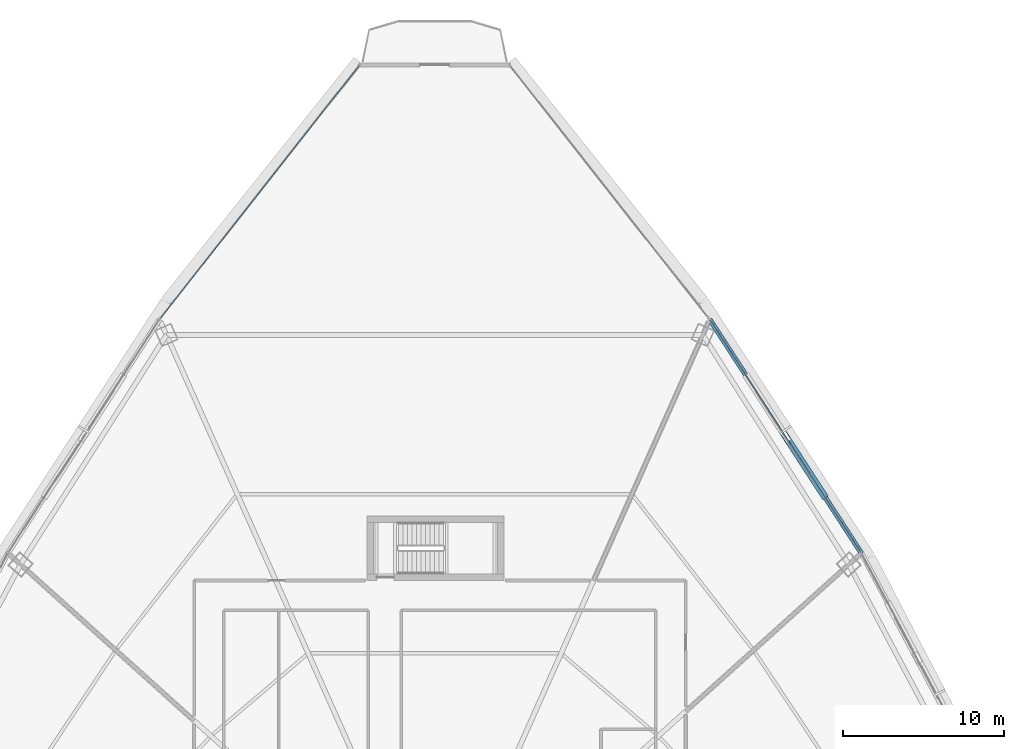
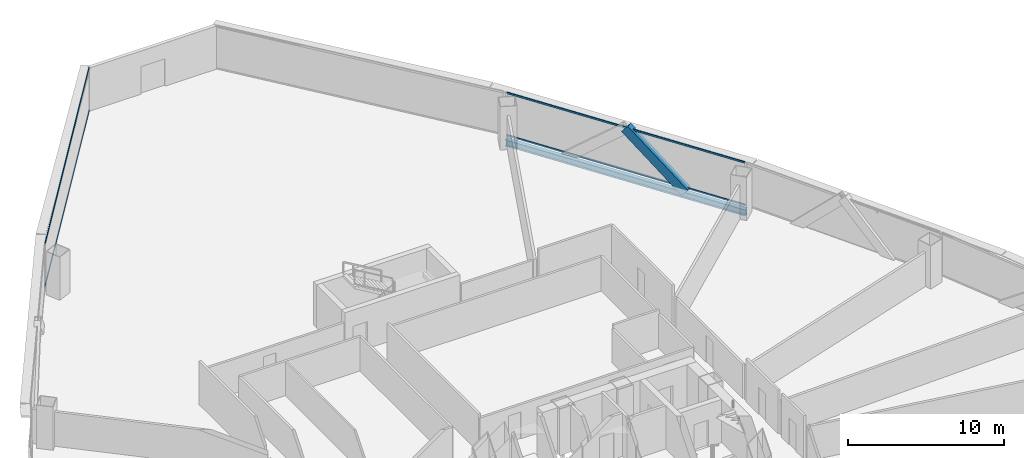
# One storey, part 25 of 40: 5 members, 1 beam, 2 elements without a shape of their own.
"""IFC4 building model written with IfcOpenShell, lengths in metres."""

import ifcopenshell
import ifcopenshell.guid

model = None  # the IFC model being written
_history = None  # IfcOwnerHistory: only IFC2X3 demands one
_inside = {}  # id of a spatial element -> (the spatial element, [elements in it])
_under = {}  # id of a project, library or spatial element -> (it, [spatial elements below it])
_declared = {}  # id of a project -> (the project, [libraries it declares])
_typed = {}  # id of a type object -> (the type object, [elements of that type])
_made_of = {}  # id of a material, layer set ... -> (it, [elements and type objects made of it])


def new_model(schema):
    """Start an empty IFC model of exactly this schema.

    Asked for "IFC4X3", IfcOpenShell would pick the latest addendum, in which some entities
    have other attributes; the version numbers below select the first issue.
    IFC2X3 requires an IfcOwnerHistory on every rooted entity: one is made here for all.
    """
    global model, _history
    if schema == "IFC4X3":
        model = ifcopenshell.file(schema_version=(4, 3, 0, 0))
    else:
        model = ifcopenshell.file(schema=schema)
    _inside.clear()
    _under.clear()
    _declared.clear()
    _typed.clear()
    _made_of.clear()
    _history = None
    if model.schema == "IFC2X3":
        org = make("IfcOrganization", Name="unknown")
        user = make(
            "IfcPersonAndOrganization",
            ThePerson=make("IfcPerson", FamilyName="unknown"),
            TheOrganization=org,
        )
        app = make(
            "IfcApplication",
            ApplicationDeveloper=org,
            Version="unknown",
            ApplicationFullName="unknown",
            ApplicationIdentifier="unknown",
        )
        _history = make(
            "IfcOwnerHistory",
            OwningUser=user,
            OwningApplication=app,
            ChangeAction="ADDED",
            CreationDate=0,
        )
    return model


def make(cls, **values):
    """One entity of the class cls with the attributes given. An attribute that is None is left unset."""
    return model.create_entity(
        cls, **{name: value for name, value in values.items() if value is not None}
    )


def rooted(cls, **values):
    """An entity with a GlobalId (a new one), such as an element, a storey or a relation."""
    return make(cls, GlobalId=ifcopenshell.guid.new(), OwnerHistory=_history, **values)


def si_unit(unit_type, name, prefix=None):
    """IfcSIUnit, for example si_unit("LENGTHUNIT", "METRE", prefix="MILLI")."""
    return make("IfcSIUnit", UnitType=unit_type, Prefix=prefix, Name=name)


def assignment(units):
    """IfcUnitAssignment: the units of a project."""
    return None if units is None else make("IfcUnitAssignment", Units=units)


def point(xyz):
    """IfcCartesianPoint."""
    return None if xyz is None else make("IfcCartesianPoint", Coordinates=xyz)


def direction(xyz):
    """IfcDirection."""
    return None if xyz is None else make("IfcDirection", DirectionRatios=xyz)


def frame(location, z_axis=None, x_axis=None):
    """IfcAxis2Placement3D, a coordinate frame: its origin and axes. An axis left out is left unset."""
    return make(
        "IfcAxis2Placement3D",
        Location=point(location),
        Axis=direction(z_axis),
        RefDirection=direction(x_axis),
    )


def frame_2d(location, x_axis=None):
    """IfcAxis2Placement2D, a coordinate frame in the plane: its origin and x axis."""
    return make(
        "IfcAxis2Placement2D", Location=point(location), RefDirection=direction(x_axis)
    )


def origin():
    """The frame at (0, 0, 0) with its axes left unset."""
    return frame((0.0, 0.0, 0.0))


def origin_2d():
    """The frame at (0, 0) in the plane with its x axis left unset."""
    return frame_2d((0.0, 0.0))


def place(relative_to, where):
    """IfcLocalPlacement: puts the frame where relative to a parent placement (None: the world)."""
    return make(
        "IfcLocalPlacement", PlacementRelTo=relative_to, RelativePlacement=where
    )


def context(
    kind, dimensions, precision=None, world=None, true_north=None, identifier=None
):
    """IfcGeometricRepresentationContext, for example the 3D "Model" context."""
    return make(
        "IfcGeometricRepresentationContext",
        ContextIdentifier=identifier,
        ContextType=kind,
        CoordinateSpaceDimension=dimensions,
        Precision=precision,
        WorldCoordinateSystem=world,
        TrueNorth=true_north,
    )


def subcontext(parent, identifier, kind, view, scale=None):
    """IfcGeometricRepresentationSubContext, for example "Body" below "Model"."""
    return make(
        "IfcGeometricRepresentationSubContext",
        ContextIdentifier=identifier,
        ContextType=kind,
        ParentContext=parent,
        TargetScale=scale,
        TargetView=view,
    )


def project(units=None, contexts=None):
    """IfcProject with its units and contexts."""
    return rooted(
        "IfcProject",
        Name="project",
        RepresentationContexts=contexts,
        UnitsInContext=assignment(units),
    )


def spatial(cls, under=None, at=None, **own):
    """A site, building, storey or space (cls), placed at a placement, below another one or the project."""
    s = rooted(cls, ObjectPlacement=at, **own)
    if under is not None:
        _under.setdefault(under.id(), (under, []))[1].append(s)
    return s


def profile(cls, at=None, kind="AREA", **sizes):
    """A parametric profile (cls). Its sizes go by their IFC names, for example OverallWidth=200.0."""
    return make(cls, ProfileType=kind, Position=at, **sizes)


def hollow_rectangle(**sizes):
    """IfcRectangleHollowProfileDef."""
    return profile("IfcRectangleHollowProfileDef", **sizes)


def i_section(**sizes):
    """IfcIShapeProfileDef."""
    return profile("IfcIShapeProfileDef", **sizes)


def extrude(swept, where, along, depth):
    """IfcExtrudedAreaSolid: the profile swept, set in the frame where, extruded along a direction by depth."""
    return make(
        "IfcExtrudedAreaSolid",
        SweptArea=swept,
        Position=where,
        ExtrudedDirection=direction(along),
        Depth=depth,
    )


def shape(context_of_items, identifier, shape_type, items):
    """IfcShapeRepresentation: the items that make up one representation, for example the "Body"."""
    return make(
        "IfcShapeRepresentation",
        ContextOfItems=context_of_items,
        RepresentationIdentifier=identifier,
        RepresentationType=shape_type,
        Items=items,
    )


def source(mapping_origin, context_of_items, identifier, shape_type, items):
    """IfcRepresentationMap: a shape defined once, which mapped items show again and again."""
    return make(
        "IfcRepresentationMap",
        MappingOrigin=mapping_origin,
        MappedRepresentation=shape(context_of_items, identifier, shape_type, items),
    )


def transform(
    local_origin,
    x_axis=None,
    y_axis=None,
    z_axis=None,
    scale=None,
    scale2=None,
    scale3=None,
    uniform=True,
):
    """IfcCartesianTransformationOperator3D, or its non-uniform kind. x_axis, y_axis, z_axis: its Axis1, 2, 3."""
    if uniform:
        return make(
            "IfcCartesianTransformationOperator3D",
            Axis1=direction(x_axis),
            Axis2=direction(y_axis),
            LocalOrigin=point(local_origin),
            Scale=scale,
            Axis3=direction(z_axis),
        )
    return make(
        "IfcCartesianTransformationOperator3DnonUniform",
        Axis1=direction(x_axis),
        Axis2=direction(y_axis),
        LocalOrigin=point(local_origin),
        Scale=scale,
        Axis3=direction(z_axis),
        Scale2=scale2,
        Scale3=scale3,
    )


def mapped(mapping_source, mapping_target):
    """IfcMappedItem: shows the shape of a source again, moved by a transform."""
    return make(
        "IfcMappedItem", MappingSource=mapping_source, MappingTarget=mapping_target
    )


def material(Name=None, Category=None):
    """IfcMaterial."""
    return make("IfcMaterial", Name=Name, Category=Category)


def layer(
    of_material, thickness, ventilated=None, Name=None, Category=None, Priority=None
):
    """IfcMaterialLayer: one layer of a wall or slab, of a material (None: an air gap)."""
    return make(
        "IfcMaterialLayer",
        Material=of_material,
        LayerThickness=thickness,
        IsVentilated=ventilated,
        Name=Name,
        Category=Category,
        Priority=Priority,
    )


def layer_set(layers, Name=None):
    """IfcMaterialLayerSet."""
    return make("IfcMaterialLayerSet", MaterialLayers=layers, LayerSetName=Name)


def material_profile(
    of_material, cross_section, Name=None, Category=None, Priority=None
):
    """IfcMaterialProfile: a cross section and its material."""
    return make(
        "IfcMaterialProfile",
        Name=Name,
        Material=of_material,
        Profile=cross_section,
        Priority=Priority,
        Category=Category,
    )


def profile_set(profiles, Name=None, composite=None):
    """IfcMaterialProfileSet."""
    return make(
        "IfcMaterialProfileSet",
        Name=Name,
        MaterialProfiles=profiles,
        CompositeProfile=composite,
    )


def made_of(thing, what):
    """Note that an element or type object is made of a material, layer set ...; save() writes the relation."""
    if what is not None:
        _made_of.setdefault(what.id(), (what, []))[1].append(thing)
    return thing


def type_object(cls, material=None, **own):
    """A type object (cls), such as IfcWallType, which elements share."""
    return made_of(rooted(cls, **own), material)


def element(
    cls,
    number,
    at=None,
    inside=None,
    cuts=None,
    type_object=None,
    material=None,
    context=None,
    identifier="Body",
    shape_type=None,
    held_by="IfcProductDefinitionShape",
    body=None,
    shapes=None,
    **own,
):
    """One element of the class cls, such as IfcWall. Its Tag is "e" and its number.

    at: its placement. inside: the storey or other place that contains it. cuts: it is an
    opening in that element (IfcRelVoidsElement). A single representation is given by context,
    identifier, shape_type and body (its items); several are given by shapes. held_by: the class
    of the entity that holds the representations. save() writes the other relations.
    """
    e = rooted(cls, Tag="e%d" % number, ObjectPlacement=at, **own)
    if body is not None:
        shapes = [shape(context, identifier, shape_type, body)]
    if shapes is not None:
        e.Representation = make(held_by, Representations=shapes)
    if inside is not None:
        _inside.setdefault(inside.id(), (inside, []))[1].append(e)
    if cuts is not None:
        rooted(
            "IfcRelVoidsElement", RelatingBuildingElement=cuts, RelatedOpeningElement=e
        )
    if type_object is not None:
        _typed.setdefault(type_object.id(), (type_object, []))[1].append(e)
    return made_of(e, material)


def aggregate(whole, parts):
    """IfcRelAggregates: a whole, such as a stair, and the parts it consists of."""
    return rooted("IfcRelAggregates", RelatingObject=whole, RelatedObjects=parts)


def save(model, path):
    """Write the relations noted so far, then the file.

    IfcRelAggregates (storeys below a building ...), IfcRelContainedInSpatialStructure (elements
    in a storey), IfcRelDefinesByType, IfcRelAssociatesMaterial and IfcRelDeclares: one each for
    every whole, place, type object, material and project.
    """
    for whole, parts in _under.values():
        aggregate(whole, parts)
    for where, things in _inside.values():
        rooted(
            "IfcRelContainedInSpatialStructure",
            RelatedElements=things,
            RelatingStructure=where,
        )
    for kind, things in _typed.values():
        rooted("IfcRelDefinesByType", RelatedObjects=things, RelatingType=kind)
    for what, things in _made_of.values():
        rooted("IfcRelAssociatesMaterial", RelatedObjects=things, RelatingMaterial=what)
    for by, libraries in _declared.values():
        rooted("IfcRelDeclares", RelatingContext=by, RelatedDefinitions=libraries)
    model.write(path)


model = new_model("IFC4")

# Units and contexts
model_context = context("Model", 3, precision=1e-05, world=origin(), true_north=direction((0.0, 1.0)))
body_context = subcontext(model_context, "Body", "Model", "MODEL_VIEW")
ifc_project = project(units=[si_unit("LENGTHUNIT", "METRE"), si_unit("AREAUNIT", "SQUARE_METRE"), si_unit("VOLUMEUNIT", "CUBIC_METRE"), si_unit("PLANEANGLEUNIT", "RADIAN"), si_unit("MASSUNIT", "GRAM", prefix="KILO"), si_unit("THERMODYNAMICTEMPERATUREUNIT", "KELVIN"), si_unit("POWERUNIT", "WATT")], contexts=[model_context])

# Site, building, storey
site_placement = place(None, origin())
site = spatial("IfcSite", under=ifc_project, at=site_placement, CompositionType="ELEMENT")
building_placement = place(site_placement, origin())
building = spatial("IfcBuilding", under=site, at=building_placement, Name="Yunzhuo Pagoda Commons", CompositionType="ELEMENT")
storey_placement = place(building_placement, frame((0.0, 0.0, 66.699951171875)))
storey = spatial("IfcBuildingStorey", under=building, at=storey_placement, Name="L17", CompositionType="ELEMENT", Elevation=66.699951171875)

# Beam
ifc_material_1 = material(Name="Structural steel Q355B", Category="steel")
ifc_material_profile_1 = material_profile(ifc_material_1, i_section(OverallWidth=0.300048828125, OverallDepth=0.488037109375, WebThickness=0.010986328125, FlangeThickness=0.01806640625, at=origin_2d()), Name="Structural steel Q355B")
ifc_profile_set_1 = profile_set([ifc_material_profile_1], Name="Structural steel Q355B")
beam_type = type_object("IfcBeamType", Name="B-SP1 Beam HM 488x300x11x18", PredefinedType="BEAM", material=ifc_profile_set_1)
shared_shape_1 = source(origin(), body_context, "Body", "SweptSolid", [
    extrude(i_section(OverallWidth=0.300048828125, OverallDepth=0.488037109375, WebThickness=0.010986328125, FlangeThickness=0.01806640625, at=origin_2d()), origin(), (0.0, 0.0, 1.0), 17.251220703125),
])
beam_placement = place(storey_placement, frame((74.428955078125, 57.496826171875, -0.50390625), z_axis=(-0.544376852456, 0.838840773037, 0.0), x_axis=(-0.838840773037, -0.544376852456, 0.0)))
element("IfcBeam", 1, at=beam_placement, inside=storey, type_object=beam_type, Name="L17 facade edge spandrel beam F2.3", PredefinedType="BEAM", context=body_context, shape_type="MappedRepresentation", body=[
    mapped(shared_shape_1, transform((0.0, 0.0, 0.0), scale=1.0)),
])

# Member
ifc_material_2 = material(Name="Structural steel Q420B", Category="steel")
ifc_material_profile_2 = material_profile(ifc_material_2, hollow_rectangle(XDim=0.419921875, YDim=0.719970703125, WallThickness=0.028076171875, at=origin_2d()), Name="Structural steel Q420B")
ifc_profile_set_2 = profile_set([ifc_material_profile_2], Name="Structural steel Q420B")
member_type_1 = type_object("IfcMemberType", Name="M-DL1 Brace BOX 720x420x28", PredefinedType="BRACE", material=ifc_profile_set_2)
shared_shape_2 = source(origin(), body_context, "Body", "SweptSolid", [
    extrude(hollow_rectangle(XDim=0.419921875, YDim=0.719970703125, WallThickness=0.028076171875, at=origin_2d()), origin(), (0.0, 0.0, 1.0), 5.63720703125),
])
member_1_placement = place(storey_placement, frame((72.081298828125, 61.114501953125, -0.260009765625), z_axis=(-0.416501089454, 0.641750352868, 0.643959103576), x_axis=(-0.838823653709, -0.544403231051, 0.0)))
element("IfcMember", 2, at=member_1_placement, inside=storey, type_object=member_type_1, Name="L17 facade diamond brace F2.3L", PredefinedType="BRACE", context=body_context, shape_type="MappedRepresentation", body=[
    mapped(shared_shape_2, transform((0.0, 0.0, 0.0), scale=1.0)),
])

# Curtain wall, members
ifc_material_3 = material(Name="Anodized aluminium 6063-T6", Category="aluminium")
ifc_layer = layer(ifc_material_3, 0.1650390625)
ifc_layer_set = layer_set([ifc_layer], Name="Anodized aluminium 6063-T6")
curtain_wall_type = type_object("IfcCurtainWallType", Name="CW-LOW Low-Zone Ribbon Curtain Wall", PredefinedType="NOTDEFINED", material=ifc_layer_set)
curtain_wall_1_placement = place(storey_placement, origin())
curtain_wall_1 = element("IfcCurtainWall", 3, at=curtain_wall_1_placement, inside=storey, type_object=curtain_wall_type, Name="L17 curtain wall CW-L17-F2B4", PredefinedType="NOTDEFINED")
ifc_material_profile_3 = material_profile(ifc_material_3, hollow_rectangle(XDim=0.06005859375, YDim=0.139892578125, WallThickness=0.00341796875, at=origin_2d()), Name="Anodized aluminium 6063-T6")
ifc_profile_set_3 = profile_set([ifc_material_profile_3], Name="Anodized aluminium 6063-T6")
member_type_2 = type_object("IfcMemberType", Name="CW-LOW-T Transom RHS 140x60x3.5", PredefinedType="USERDEFINED", material=ifc_profile_set_3)
shared_shape_3 = source(origin(), body_context, "Body", "SweptSolid", [
    extrude(hollow_rectangle(XDim=0.06005859375, YDim=0.139892578125, WallThickness=0.00341796875, at=origin_2d()), origin(), (0.0, 0.0, 1.0), 17.120849609375),
])
member_2_placement = place(storey_placement, frame((74.3935546875, 57.551513671875, 0.0302734375), z_axis=(-0.544384232902, 0.838835983353, 0.0), x_axis=(-0.838835983353, -0.544384232902, 0.0)))
member_2 = element("IfcMember", 4, at=member_2_placement, type_object=member_type_2, Name="CW transom 1.1", ObjectType="TRANSOM", PredefinedType="USERDEFINED", context=body_context, shape_type="MappedRepresentation", body=[
    mapped(shared_shape_3, transform((0.0, 0.0, 0.0), scale=1.0)),
])
member_3_placement = place(storey_placement, frame((74.3935546875, 57.551513671875, 3.340087890625), z_axis=(-0.544384232902, 0.838835983353, 0.0), x_axis=(-0.838835983353, -0.544384232902, 0.0)))
member_3 = element("IfcMember", 5, at=member_3_placement, type_object=member_type_2, Name="CW transom 1.2", ObjectType="TRANSOM", PredefinedType="USERDEFINED", context=body_context, shape_type="MappedRepresentation", body=[
    mapped(shared_shape_3, transform((0.0, 0.0, 0.0), scale=1.0)),
])
aggregate(curtain_wall_1, [member_2, member_3])

curtain_wall_2_placement = place(storey_placement, origin())
curtain_wall_2 = element("IfcCurtainWall", 6, at=curtain_wall_2_placement, inside=storey, type_object=curtain_wall_type, Name="L17 curtain wall CW-L17-F3B1", PredefinedType="NOTDEFINED")
shared_shape_4 = source(origin(), body_context, "Body", "SweptSolid", [
    extrude(hollow_rectangle(XDim=0.06005859375, YDim=0.139892578125, WallThickness=0.00341796875, at=origin_2d()), origin(), (0.0, 0.0, 1.0), 19.8544921875),
])
member_4_placement = place(storey_placement, frame((43.322265625, 87.68408203125, 0.0302734375), z_axis=(-0.61818479687, -0.786032796338, 0.0), x_axis=(0.786032796338, -0.61818479687, 0.0)))
member_4 = element("IfcMember", 7, at=member_4_placement, type_object=member_type_2, Name="CW transom 1.1", ObjectType="TRANSOM", PredefinedType="USERDEFINED", context=body_context, shape_type="MappedRepresentation", body=[
    mapped(shared_shape_4, transform((0.0, 0.0, 0.0), scale=1.0)),
])
member_5_placement = place(storey_placement, frame((43.322265625, 87.68408203125, 3.340087890625), z_axis=(-0.61818479687, -0.786032796338, 0.0), x_axis=(0.786032796338, -0.61818479687, 0.0)))
member_5 = element("IfcMember", 8, at=member_5_placement, type_object=member_type_2, Name="CW transom 1.2", ObjectType="TRANSOM", PredefinedType="USERDEFINED", context=body_context, shape_type="MappedRepresentation", body=[
    mapped(shared_shape_4, transform((0.0, 0.0, 0.0), scale=1.0)),
])
aggregate(curtain_wall_2, [member_4, member_5])

save(model, "model.ifc")
